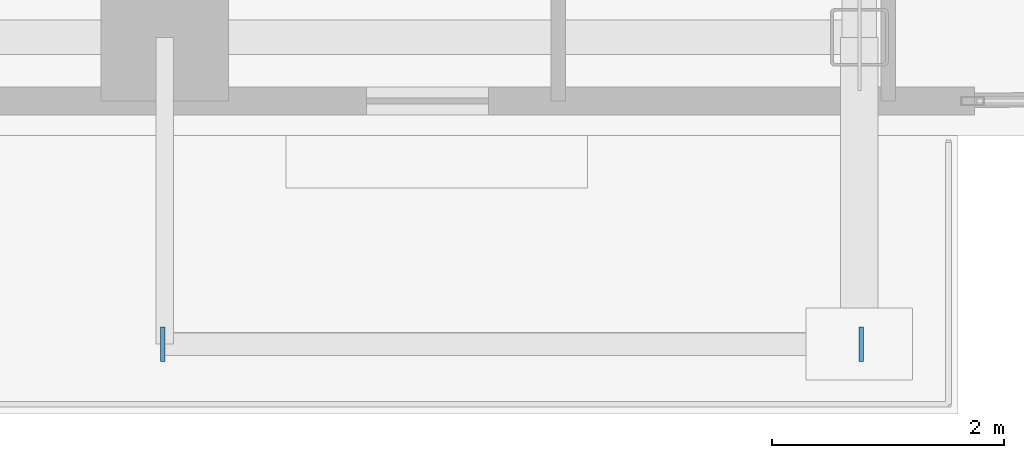
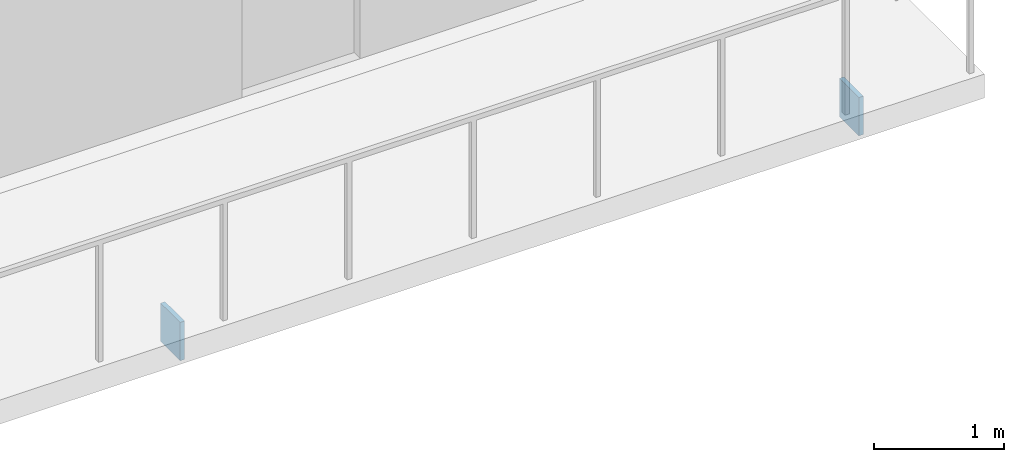
# One storey, part 20 of 28: 2 plates.
"""IFC4 building model written with IfcOpenShell, lengths in metres."""

from ifc_helpers import new_model, si_unit, direction, frame, origin, origin_2d, place, context, subcontext, project, spatial, rectangle, extrude, material, layer, layer_set, type_object, element, save


model = new_model("IFC4")

# Units and contexts
model_context = context("Model", 3, precision=1e-05, world=origin(), true_north=direction((0.0, 1.0)))
body_context = subcontext(model_context, "Body", "Model", "MODEL_VIEW")
ifc_project = project(units=[si_unit("LENGTHUNIT", "METRE"), si_unit("AREAUNIT", "SQUARE_METRE"), si_unit("VOLUMEUNIT", "CUBIC_METRE"), si_unit("PLANEANGLEUNIT", "RADIAN"), si_unit("MASSUNIT", "GRAM", prefix="KILO"), si_unit("THERMODYNAMICTEMPERATUREUNIT", "KELVIN"), si_unit("POWERUNIT", "WATT")], contexts=[model_context])

# Site, building, storey
site_placement = place(None, origin())
site = spatial("IfcSite", under=ifc_project, at=site_placement, CompositionType="ELEMENT")
building_placement = place(site_placement, origin())
building = spatial("IfcBuilding", under=site, at=building_placement, Name="Svarakhadi Broadcast Tower", CompositionType="ELEMENT")
storey_placement = place(building_placement, frame((0.0, 0.0, 149.39990234375)))
storey = spatial("IfcBuildingStorey", under=building, at=storey_placement, Name="L36", CompositionType="ELEMENT", Elevation=149.39990234375)

# Plates
ifc_material = material(Name="Steel S460ML (IS 2062 E450BR)", Category="steel")
ifc_layer = layer(ifc_material, 0.028076171875)
ifc_layer_set = layer_set([ifc_layer], Name="Steel S460ML (IS 2062 E450BR)")
plate_type = type_object("IfcPlateType", Name="Cap_Plate_CP02", PredefinedType="USERDEFINED", material=ifc_layer_set)
for number, where, z_axis, x_axis, name in (
    (1, (35.135009765625, -1.800048828125, -0.55517578125), (0.0, 0.0, 1.0), (1.0, 0.0, 0.0), "L36 Balcony Spandrel End Cap Plate 1F-A"),
    (2, (41.1650390625, -1.800048828125, -0.55517578125), (0.0, 0.0, 1.0), (1.0, 0.0, 0.0), "L36 Balcony Spandrel End Cap Plate 1F-B"),
):
    element("IfcPlate", number, at=place(storey_placement, frame(where, z_axis=z_axis, x_axis=x_axis)), inside=storey, type_object=plate_type, Name=name, ObjectType="FLANGE_PLATE", PredefinedType="USERDEFINED", context=body_context, shape_type="SweptSolid", body=[
        extrude(rectangle(XDim=0.0400390625, YDim=0.300048828125, at=origin_2d()), origin(), (0.0, 0.0, 1.0), 0.360107421875),
    ])

save(model, "model.ifc")
